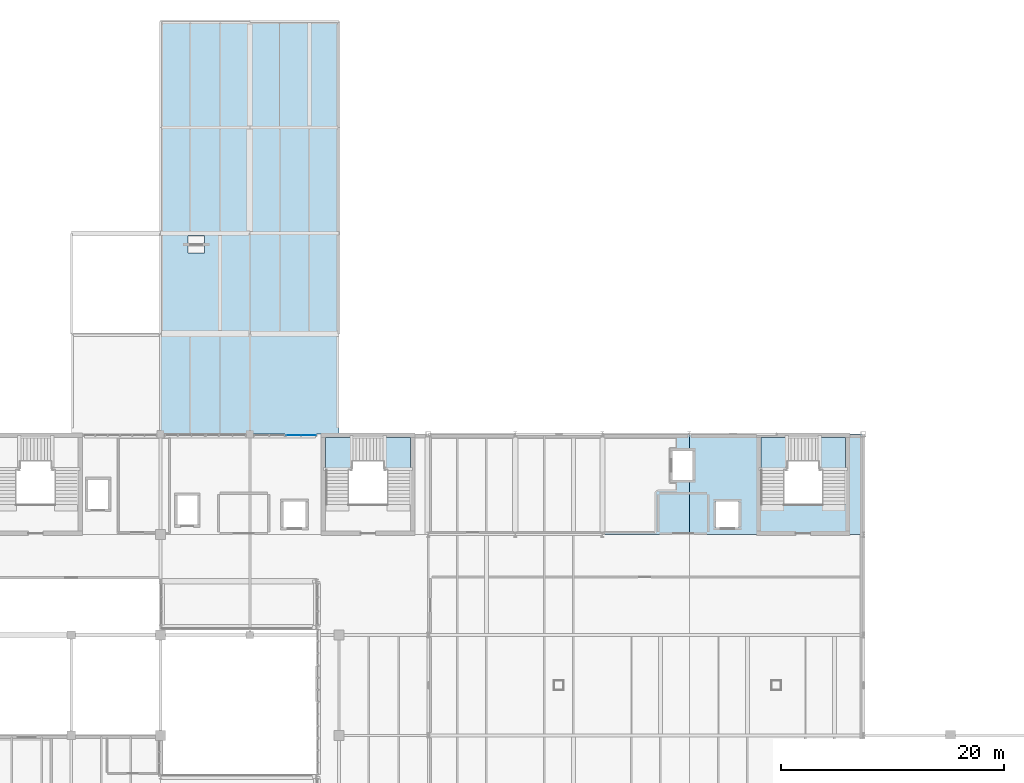
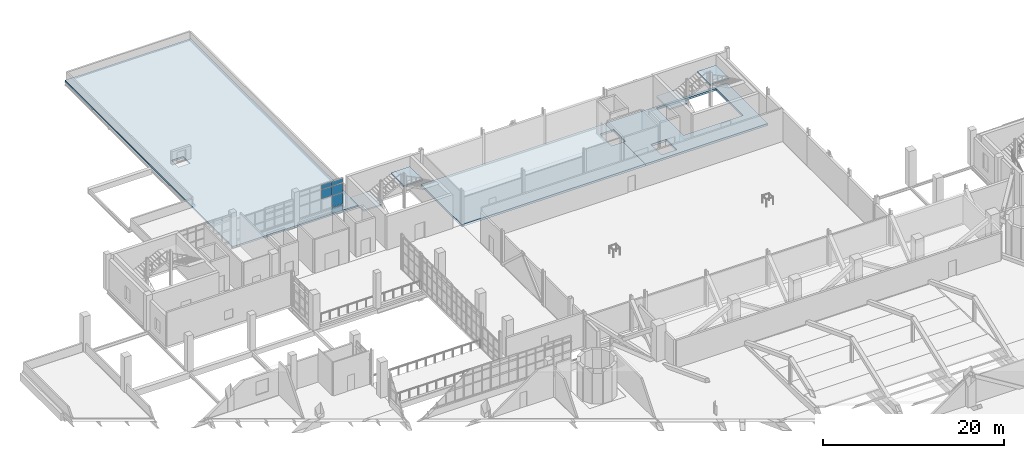
# One storey, part 98 of 127: 7 slabs, 6 plates, 3 elements without a shape of their own.
"""IFC4 building model written with IfcOpenShell, lengths in metres."""

from ifc_helpers import new_model, si_unit, derived_unit, direction, frame, origin, origin_2d, place, context, subcontext, project, spatial, polyline, rectangle, outline, extrude, material, layer, layer_set, type_object, element, aggregate, save


model = new_model("IFC4")

# Units and contexts
model_context = context("Model", 3, precision=1e-05, world=origin(), true_north=direction((0.0, 1.0)))
body_context = subcontext(model_context, "Body", "Model", "MODEL_VIEW")
ifc_project = project(units=[si_unit("LENGTHUNIT", "METRE"), si_unit("AREAUNIT", "SQUARE_METRE"), si_unit("VOLUMEUNIT", "CUBIC_METRE"), si_unit("PLANEANGLEUNIT", "RADIAN"), si_unit("MASSUNIT", "GRAM", prefix="KILO"), derived_unit("THERMALTRANSMITTANCEUNIT", [(si_unit("POWERUNIT", "WATT"), 1), (si_unit("LENGTHUNIT", "METRE"), -2), (si_unit("THERMODYNAMICTEMPERATUREUNIT", "KELVIN"), -1)])], contexts=[model_context])

# Site, building, storey
site_placement = place(None, origin())
site = spatial("IfcSite", under=ifc_project, at=site_placement, CompositionType="ELEMENT")
building_placement = place(site_placement, origin())
building = spatial("IfcBuilding", under=site, at=building_placement, Name="Nallur Shell Playhouse", CompositionType="ELEMENT")
storey_placement = place(building_placement, frame((0.0, 0.0, 5.39990234375)))
storey = spatial("IfcBuildingStorey", under=building, at=storey_placement, Name="L02", CompositionType="ELEMENT", Elevation=5.39990234375)

# Curtain wall, plates
ifc_material_1 = material(Name="Anodised Aluminium Double-Glazed Facade System", Category="aluminium")
ifc_layer_1 = layer(ifc_material_1, 0.16796875)
ifc_layer_set_1 = layer_set([ifc_layer_1], Name="Anodised Aluminium Double-Glazed Facade System")
curtain_wall_type = type_object("IfcCurtainWallType", Name="CW-UNIT-26", PredefinedType="NOTDEFINED", material=ifc_layer_set_1)
curtain_wall_placement = place(storey_placement, origin())
curtain_wall = element("IfcCurtainWall", 1, at=curtain_wall_placement, inside=storey, type_object=curtain_wall_type, Name="Unitised curtain wall CW-026 (L02)", PredefinedType="NOTDEFINED")
ifc_material_2 = material(Name="Solar-Control Low-E Laminated Insulating Glass", Category="glass")
ifc_layer_2 = layer(ifc_material_2, 0.028076171875)
ifc_layer_set_2 = layer_set([ifc_layer_2], Name="Solar-Control Low-E Laminated Insulating Glass")
plate_type = type_object("IfcPlateType", Name="PT-GLZ-02", PredefinedType="CURTAIN_PANEL", material=ifc_layer_set_2)
plate_1_placement = place(storey_placement, frame((51.898681640625, 82.909912109375, 2.56201171875), z_axis=(0.0, 0.0, 1.0), x_axis=(1.0, 0.0, 0.0)))
plate_1 = element("IfcPlate", 2, at=plate_1_placement, type_object=plate_type, Name="CW-26 panel 1.3", PredefinedType="CURTAIN_PANEL", context=body_context, shape_type="SweptSolid", body=[
    extrude(rectangle(XDim=1.310302734375, YDim=0.028076171875, at=origin_2d()), origin(), (0.0, 0.0, 1.0), 1.216064453125),
])
plate_2_placement = place(storey_placement, frame((51.898681640625, 82.909912109375, 3.862060546875), z_axis=(0.0, 0.0, 1.0), x_axis=(1.0, 0.0, 0.0)))
plate_2 = element("IfcPlate", 3, at=plate_2_placement, type_object=plate_type, Name="CW-26 panel 1.4", PredefinedType="CURTAIN_PANEL", context=body_context, shape_type="SweptSolid", body=[
    extrude(rectangle(XDim=1.310302734375, YDim=0.028076171875, at=origin_2d()), origin(), (0.0, 0.0, 1.0), 0.5458984375),
])
plate_3_placement = place(storey_placement, frame((53.27294921875, 82.909912109375, 0.092041015625), z_axis=(0.0, 0.0, 1.0), x_axis=(1.0, 0.0, 0.0)))
plate_3 = element("IfcPlate", 4, at=plate_3_placement, type_object=plate_type, Name="CW-26 panel 2.1", PredefinedType="CURTAIN_PANEL", context=body_context, shape_type="SweptSolid", body=[
    extrude(rectangle(XDim=1.310302734375, YDim=0.028076171875, at=origin_2d()), origin(), (0.0, 0.0, 1.0), 0.76611328125),
])
plate_4_placement = place(storey_placement, frame((53.27294921875, 82.909912109375, 0.9423828125), z_axis=(0.0, 0.0, 1.0), x_axis=(1.0, 0.0, 0.0)))
plate_4 = element("IfcPlate", 5, at=plate_4_placement, type_object=plate_type, Name="CW-26 panel 2.2", PredefinedType="CURTAIN_PANEL", context=body_context, shape_type="SweptSolid", body=[
    extrude(rectangle(XDim=1.310302734375, YDim=0.028076171875, at=origin_2d()), origin(), (0.0, 0.0, 1.0), 1.535888671875),
])
plate_5_placement = place(storey_placement, frame((53.27294921875, 82.909912109375, 2.56201171875), z_axis=(0.0, 0.0, 1.0), x_axis=(1.0, 0.0, 0.0)))
plate_5 = element("IfcPlate", 6, at=plate_5_placement, type_object=plate_type, Name="CW-26 panel 2.3", PredefinedType="CURTAIN_PANEL", context=body_context, shape_type="SweptSolid", body=[
    extrude(rectangle(XDim=1.310302734375, YDim=0.028076171875, at=origin_2d()), origin(), (0.0, 0.0, 1.0), 1.216064453125),
])
plate_6_placement = place(storey_placement, frame((53.27294921875, 82.909912109375, 3.862060546875), z_axis=(0.0, 0.0, 1.0), x_axis=(1.0, 0.0, 0.0)))
plate_6 = element("IfcPlate", 7, at=plate_6_placement, type_object=plate_type, Name="CW-26 panel 2.4", PredefinedType="CURTAIN_PANEL", context=body_context, shape_type="SweptSolid", body=[
    extrude(rectangle(XDim=1.310302734375, YDim=0.028076171875, at=origin_2d()), origin(), (0.0, 0.0, 1.0), 0.5458984375),
])
aggregate(curtain_wall, [plate_1, plate_2, plate_3, plate_4, plate_5, plate_6])

# Slab
ifc_material_3 = material(Name="Concrete M35", Category="concrete")
ifc_layer_3 = layer(ifc_material_3, 0.219970703125)
ifc_layer_set_3 = layer_set([ifc_layer_3], Name="Concrete M35")
slab_type_1 = type_object("IfcSlabType", Name="SL-FLATROOF-220", PredefinedType="ROOF", material=ifc_layer_set_3)
slab_1_placement = place(storey_placement, frame((0.0, 0.0, -0.219970703125)))
element("IfcSlab", 8, at=slab_1_placement, inside=storey, type_object=slab_type_1, Name="L02 Carpentry Pavilion roof slab", PredefinedType="ROOF", context=body_context, shape_type="SweptSolid", body=[
    extrude(outline(polyline([(40.0, 83.0), (40.0, 120.0), (56.0, 120.0), (56.0, 83.0), (40.0, 83.0)]), holes=[polyline([(42.449951171875, 100.75), (42.449951171875, 99.25), (43.949951171875, 99.25), (43.949951171875, 100.75), (42.449951171875, 100.75)])]), origin(), (0.0, 0.0, 1.0), 0.219970703125),
])

# Stair, slabs
stair_type = type_object("IfcStairType", Name="ST-CORE-48", PredefinedType="QUARTER_TURN_STAIR", material=ifc_material_3)
stair_1_placement = place(storey_placement, origin())
stair_1 = element("IfcStair", 9, at=stair_1_placement, inside=storey, type_object=stair_type, Name="Core JC-3 exit stair ST-03-L02 (L02 to L03)", PredefinedType="QUARTER_TURN_STAIR")
ifc_layer_4 = layer(ifc_material_3, 0.199951171875)
ifc_layer_set_4 = layer_set([ifc_layer_4], Name="Concrete M35")
slab_type_2 = type_object("IfcSlabType", Name="SL-LANDING-200", PredefinedType="LANDING", material=ifc_layer_set_4)
slab_2_placement = place(storey_placement, frame((0.0, 0.0, 1.4501953125)))
slab_2 = element("IfcSlab", 10, at=slab_2_placement, type_object=slab_type_2, Name="ST-48 landing 1", PredefinedType="LANDING", context=body_context, shape_type="SweptSolid", body=[
    extrude(outline(polyline([(54.800048828125, 79.800048828125), (57.205078125, 79.800048828125), (57.205078125, 82.699951171875), (54.800048828125, 82.699951171875), (54.800048828125, 79.800048828125)])), origin(), (0.0, 0.0, 1.0), 0.199951171875),
])
slab_3_placement = place(storey_placement, frame((0.0, 0.0, 2.9501953125)))
slab_3 = element("IfcSlab", 11, at=slab_3_placement, type_object=slab_type_2, Name="ST-48 landing 2", PredefinedType="LANDING", context=body_context, shape_type="SweptSolid", body=[
    extrude(outline(polyline([(59.9951171875, 79.800048828125), (62.39990234375, 79.800048828125), (62.39990234375, 82.699951171875), (59.9951171875, 82.699951171875), (59.9951171875, 79.800048828125)])), origin(), (0.0, 0.0, 1.0), 0.199951171875),
])
aggregate(stair_1, [slab_2, slab_3])

stair_2_placement = place(storey_placement, origin())
stair_2 = element("IfcStair", 12, at=stair_2_placement, inside=storey, type_object=stair_type, Name="Core JC-4 exit stair ST-04-L02 (L02 to L03)", PredefinedType="QUARTER_TURN_STAIR")
slab_4_placement = place(storey_placement, frame((0.0, 0.0, 1.4501953125)))
slab_4 = element("IfcSlab", 13, at=slab_4_placement, type_object=slab_type_2, Name="ST-48 landing 1", PredefinedType="LANDING", context=body_context, shape_type="SweptSolid", body=[
    extrude(outline(polyline([(93.800048828125, 79.800048828125), (96.205078125, 79.800048828125), (96.205078125, 82.699951171875), (93.800048828125, 82.699951171875), (93.800048828125, 79.800048828125)])), origin(), (0.0, 0.0, 1.0), 0.199951171875),
])
slab_5_placement = place(storey_placement, frame((0.0, 0.0, 2.9501953125)))
slab_5 = element("IfcSlab", 14, at=slab_5_placement, type_object=slab_type_2, Name="ST-48 landing 2", PredefinedType="LANDING", context=body_context, shape_type="SweptSolid", body=[
    extrude(outline(polyline([(98.9951171875, 79.800048828125), (101.39990234375, 79.800048828125), (101.39990234375, 82.699951171875), (98.9951171875, 82.699951171875), (98.9951171875, 79.800048828125)])), origin(), (0.0, 0.0, 1.0), 0.199951171875),
])
aggregate(stair_2, [slab_4, slab_5])

# Slabs
ifc_material_4 = material(Name="Concrete M40", Category="concrete")
ifc_layer_5 = layer(ifc_material_4, 0.280029296875)
ifc_layer_set_5 = layer_set([ifc_layer_5], Name="Concrete M40")
slab_type_3 = type_object("IfcSlabType", Name="SL-TRANS-280", PredefinedType="FLOOR", material=ifc_layer_set_5)
slab_6_placement = place(storey_placement, frame((0.0, 0.0, -0.27978515625)))
element("IfcSlab", 15, at=slab_6_placement, inside=storey, type_object=slab_type_3, Name="L02 structural floor slab panel 14", PredefinedType="FLOOR", context=body_context, shape_type="SweptSolid", body=[
    extrude(outline(polyline([(87.39990234375, 83.0), (87.39990234375, 81.5), (85.89990234375, 81.5), (85.89990234375, 78.89990234375), (87.39990234375, 78.89990234375), (87.39990234375, 74.0), (64.0, 74.0), (64.0, 83.0), (87.39990234375, 83.0)])), origin(), (0.0, 0.0, 1.0), 0.27978515625),
])
slab_7_placement = place(storey_placement, frame((0.0, 0.0, -0.27978515625)))
element("IfcSlab", 16, at=slab_7_placement, inside=storey, type_object=slab_type_3, Name="L02 structural floor slab panel 18", PredefinedType="FLOOR", context=body_context, shape_type="SweptSolid", body=[
    extrude(outline(polyline([(103.0, 83.0), (103.0, 74.0), (87.39990234375, 74.0), (87.39990234375, 78.89990234375), (87.699951171875, 78.89990234375), (87.699951171875, 81.5), (87.39990234375, 81.5), (87.39990234375, 83.0), (103.0, 83.0)]), holes=[polyline([(91.800048828125, 76.949951171875), (89.800048828125, 76.949951171875), (89.800048828125, 74.64990234375), (91.800048828125, 74.64990234375), (91.800048828125, 76.949951171875)]), polyline([(101.39990234375, 76.699951171875), (101.39990234375, 82.699951171875), (93.800048828125, 82.699951171875), (93.800048828125, 76.699951171875), (101.39990234375, 76.699951171875)])]), origin(), (0.0, 0.0, 1.0), 0.27978515625),
])

save(model, "model.ifc")
